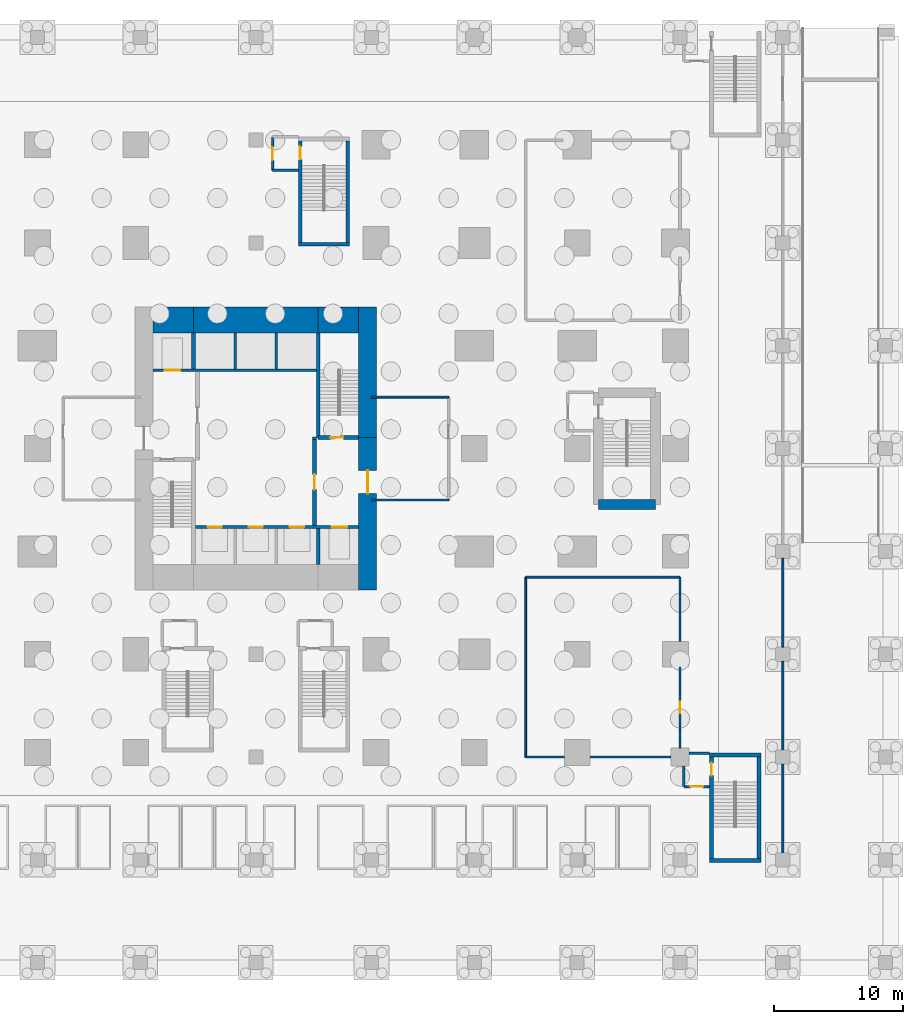
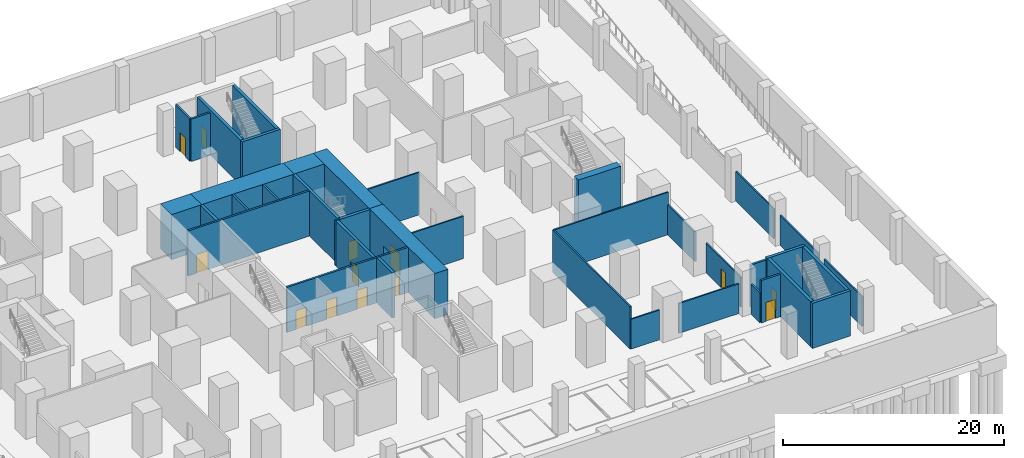
# One storey, part 8 of 17: 39 walls, 13 doors, 13 openings.
"""IFC4 building model written with IfcOpenShell, lengths in metres."""

from ifc_helpers import new_model, si_unit, direction, frame, frame_2d, origin, place, context, subcontext, project, spatial, rectangle, extrude, material, layer, layer_set, type_object, element, fill, save


model = new_model("IFC4")

# Units and contexts
model_context = context("Model", 3, precision=1e-05, world=origin(), true_north=direction((0.0, 1.0)))
body_context = subcontext(model_context, "Body", "Model", "MODEL_VIEW")
ifc_project = project(units=[si_unit("LENGTHUNIT", "METRE"), si_unit("AREAUNIT", "SQUARE_METRE"), si_unit("VOLUMEUNIT", "CUBIC_METRE"), si_unit("PLANEANGLEUNIT", "RADIAN"), si_unit("MASSUNIT", "GRAM", prefix="KILO")], contexts=[model_context])

# Site, building, storey
site_placement = place(None, origin())
site = spatial("IfcSite", under=ifc_project, at=site_placement, CompositionType="ELEMENT")
building_placement = place(site_placement, origin())
building = spatial("IfcBuilding", under=site, at=building_placement, Name="Cleftline Residences", CompositionType="ELEMENT")
storey_placement = place(building_placement, frame((0.0, 0.0, -5.0)))
storey = spatial("IfcBuildingStorey", under=building, at=storey_placement, Name="L-01", CompositionType="ELEMENT", Elevation=-5.0)

# Wall, opening, door
ifc_material_1 = material(Name="Concrete B70", Category="concrete")
ifc_layer_1 = layer(ifc_material_1, 1.39990234375)
ifc_layer_set_1 = layer_set([ifc_layer_1], Name="CORE WALL 1400")
wall_type_1 = type_object("IfcWallType", Name="CORE WALL 1400", PredefinedType="SHEAR", material=ifc_layer_set_1)
wall_1_placement = place(storey_placement, frame((41.699951171875, 13.0, 0.0), z_axis=(0.0, 0.0, 1.0), x_axis=(0.0, 1.0, 0.0)))
wall_1 = element("IfcWall", 1, at=wall_1_placement, inside=storey, type_object=wall_type_1, Name="Core wall E", PredefinedType="SHEAR", context=body_context, shape_type="SweptSolid", body=[
    extrude(rectangle(XDim=11.85009765625, YDim=1.39990234375, at=frame_2d((5.925048828125, 0.0))), origin(), (0.0, 0.0, 1.0), 5.0),
])
opening_1_placement = place(wall_1_placement, frame((7.5, 0.0, 0.0)))
opening_1 = element("IfcOpeningElement", 2, at=opening_1_placement, cuts=wall_1, Name="Opening D7", PredefinedType="OPENING", context=body_context, shape_type="SweptSolid", body=[
    extrude(rectangle(XDim=1.800048828125, YDim=2.39990234375, at=frame_2d((0.89990234375, 1.199951171875))), frame((0.0, 0.7099609375, 0.0), z_axis=(0.0, -1.0, 0.0), x_axis=(1.0, 0.0, 0.0)), (0.0, 0.0, 1.0), 1.419921875),
])
ifc_material_2 = material(Name="Steel", Category="steel")
door_type_1 = type_object("IfcDoorType", Name="WING DOOR 1800X2400", OperationType="DOUBLE_DOOR_DOUBLE_SWING", PredefinedType="DOOR", material=ifc_material_2)
door_1_placement = place(opening_1_placement, origin())
door_1 = element("IfcDoor", 3, at=door_1_placement, inside=storey, type_object=door_type_1, Name="East wing door", OperationType="DOUBLE_DOOR_DOUBLE_SWING", OverallHeight=2.39990234375, OverallWidth=1.800048828125, PredefinedType="DOOR", context=body_context, shape_type="SweptSolid", body=[
    extrude(rectangle(XDim=1.800048828125, YDim=2.39990234375, at=frame_2d((0.89990234375, 1.199951171875))), frame((0.0, 0.02490234375, 0.0), z_axis=(0.0, -1.0, 0.0), x_axis=(1.0, 0.0, 0.0)), (0.0, 0.0, 1.0), 0.050048828125),
])
fill(opening_1, door_1)

# Walls
wall_2_placement = place(storey_placement, frame((41.699951171875, 24.85009765625, 0.0), z_axis=(0.0, 0.0, 1.0), x_axis=(0.0, 1.0, 0.0)))
element("IfcWall", 4, at=wall_2_placement, inside=storey, type_object=wall_type_1, Name="Core wall E1", PredefinedType="SHEAR", context=body_context, shape_type="SweptSolid", body=[
    extrude(rectangle(XDim=10.14990234375, YDim=1.39990234375, at=frame_2d((5.074951171875, 0.0))), origin(), (0.0, 0.0, 1.0), 5.0),
])
ifc_material_3 = material(Name="Concrete B70", Category="concrete")
ifc_layer_2 = layer(ifc_material_3, 2.0)
ifc_layer_set_2 = layer_set([ifc_layer_2], Name="CORE WALL 2000")
wall_type_2 = type_object("IfcWallType", Name="CORE WALL 2000", PredefinedType="SHEAR", material=ifc_layer_set_2)
wall_3_placement = place(storey_placement, frame((25.0, 34.0, 0.0), z_axis=(0.0, 0.0, 1.0), x_axis=(1.0, 0.0, 0.0)))
element("IfcWall", 5, at=wall_3_placement, inside=storey, type_object=wall_type_2, Name="Core wall N1", PredefinedType="SHEAR", context=body_context, shape_type="SweptSolid", body=[
    extrude(rectangle(XDim=3.14990234375, YDim=2.0, at=frame_2d((1.574951171875, 0.0))), origin(), (0.0, 0.0, 1.0), 5.0),
])
wall_4_placement = place(storey_placement, frame((28.14990234375, 34.0, 0.0), z_axis=(0.0, 0.0, 1.0), x_axis=(1.0, 0.0, 0.0)))
element("IfcWall", 6, at=wall_4_placement, inside=storey, type_object=wall_type_2, Name="Core wall N2", PredefinedType="SHEAR", context=body_context, shape_type="SweptSolid", body=[
    extrude(rectangle(XDim=9.7001953125, YDim=2.0, at=frame_2d((4.85009765625, 0.0))), origin(), (0.0, 0.0, 1.0), 5.0),
])
wall_5_placement = place(storey_placement, frame((37.85009765625, 34.0, 0.0), z_axis=(0.0, 0.0, 1.0), x_axis=(1.0, 0.0, 0.0)))
element("IfcWall", 7, at=wall_5_placement, inside=storey, type_object=wall_type_2, Name="Core wall N3", PredefinedType="SHEAR", context=body_context, shape_type="SweptSolid", body=[
    extrude(rectangle(XDim=3.14990234375, YDim=2.0, at=frame_2d((1.574951171875, 0.0))), origin(), (0.0, 0.0, 1.0), 5.0),
])
ifc_material_4 = material(Name="Concrete B70", Category="concrete")
ifc_layer_3 = layer(ifc_material_4, 0.300048828125)
ifc_layer_set_3 = layer_set([ifc_layer_3], Name="CORE WALL 300")
wall_type_3 = type_object("IfcWallType", Name="CORE WALL 300", PredefinedType="SHEAR", material=ifc_layer_set_3)
wall_6_placement = place(storey_placement, frame((37.85009765625, 24.85009765625, 0.0), z_axis=(0.0, 0.0, 1.0), x_axis=(0.0, 1.0, 0.0)))
element("IfcWall", 8, at=wall_6_placement, inside=storey, type_object=wall_type_3, Name="Core wall SB-W", PredefinedType="SHEAR", context=body_context, shape_type="SweptSolid", body=[
    extrude(rectangle(XDim=8.14990234375, YDim=0.300048828125, at=frame_2d((4.074951171875, 0.0))), origin(), (0.0, 0.0, 1.0), 5.0),
])

# Wall, opening, door
wall_7_placement = place(storey_placement, frame((37.85009765625, 24.85009765625, 0.0), z_axis=(0.0, 0.0, 1.0), x_axis=(1.0, 0.0, 0.0)))
wall_7 = element("IfcWall", 9, at=wall_7_placement, inside=storey, type_object=wall_type_3, Name="Core wall SB-S", PredefinedType="SHEAR", context=body_context, shape_type="SweptSolid", body=[
    extrude(rectangle(XDim=3.14990234375, YDim=0.300048828125, at=frame_2d((1.574951171875, 0.0))), origin(), (0.0, 0.0, 1.0), 5.0),
])
opening_2_placement = place(wall_7_placement, frame((0.949951171875, 0.0, 0.0)))
opening_2 = element("IfcOpeningElement", 10, at=opening_2_placement, cuts=wall_7, Name="Opening D5", PredefinedType="OPENING", context=body_context, shape_type="SweptSolid", body=[
    extrude(rectangle(XDim=1.0, YDim=2.10009765625, at=frame_2d((0.5, 1.050048828125))), frame((0.0, 0.159912109375, 0.0), z_axis=(0.0, -1.0, 0.0), x_axis=(1.0, 0.0, 0.0)), (0.0, 0.0, 1.0), 0.320068359375),
])
ifc_material_5 = material(Name="Steel", Category="steel")
door_type_2 = type_object("IfcDoorType", Name="STAIR DOOR 1000X2100", OperationType="SINGLE_SWING_LEFT", PredefinedType="DOOR", material=ifc_material_5)
door_2_placement = place(opening_2_placement, origin())
door_2 = element("IfcDoor", 11, at=door_2_placement, inside=storey, type_object=door_type_2, Name="Stair B door", OperationType="SINGLE_SWING_RIGHT", OverallHeight=2.10009765625, OverallWidth=1.0, PredefinedType="DOOR", context=body_context, shape_type="SweptSolid", body=[
    extrude(rectangle(XDim=1.0, YDim=2.10009765625, at=frame_2d((0.5, 1.050048828125))), frame((0.0, 0.02490234375, 0.0), z_axis=(0.0, -1.0, 0.0), x_axis=(1.0, 0.0, 0.0)), (0.0, 0.0, 1.0), 0.050048828125),
])
fill(opening_2, door_2)

# Walls
for number, where, z_axis, x_axis, name in (
    (12, (37.85009765625, 15.0, 0.0), (0.0, 0.0, 1.0), (0.0, 1.0, 0.0), "Lift shaft wall"),
    (13, (28.14990234375, 30.199951171875, 0.0), (0.0, 0.0, 1.0), (0.0, 1.0, 0.0), "Lift shaft wall"),
):
    element("IfcWall", number, at=place(storey_placement, frame(where, z_axis=z_axis, x_axis=x_axis)), inside=storey, type_object=wall_type_3, Name=name, PredefinedType="SHEAR", context=body_context, shape_type="SweptSolid", body=[
        extrude(rectangle(XDim=2.800048828125, YDim=0.300048828125, at=frame_2d((1.39990234375, 0.0))), origin(), (0.0, 0.0, 1.0), 5.0),
    ])

# Wall, opening, door
ifc_material_6 = material(Name="Concrete blockwork, fire rated", Category="masonry")
ifc_layer_4 = layer(ifc_material_6, 0.199951171875)
ifc_layer_set_4 = layer_set([ifc_layer_4], Name="FIRE WALL 200")
wall_type_4 = type_object("IfcWallType", Name="FIRE WALL 200", PredefinedType="PARTITIONING", material=ifc_layer_set_4)
wall_8_placement = place(storey_placement, frame((66.300048828125, -2.300048828125, 0.0), z_axis=(0.0, 0.0, 1.0), x_axis=(1.0, 0.0, 0.0)))
wall_8 = element("IfcWall", 14, at=wall_8_placement, inside=storey, type_object=wall_type_4, Name="Fire separating wall", PredefinedType="PARTITIONING", context=body_context, shape_type="SweptSolid", body=[
    extrude(rectangle(XDim=2.0, YDim=0.199951171875, at=frame_2d((1.0, 0.0))), origin(), (0.0, 0.0, 1.0), 4.699951171875),
])
opening_3_placement = place(wall_8_placement, frame((0.5, 0.0, 0.0)))
opening_3 = element("IfcOpeningElement", 15, at=opening_3_placement, cuts=wall_8, Name="Opening D2F60", PredefinedType="OPENING", context=body_context, shape_type="SweptSolid", body=[
    extrude(rectangle(XDim=1.0, YDim=2.10009765625, at=frame_2d((0.5, 1.050048828125))), frame((0.0, 0.10986328125, 0.0), z_axis=(0.0, -1.0, 0.0), x_axis=(1.0, 0.0, 0.0)), (0.0, 0.0, 1.0), 0.219970703125),
])
ifc_material_7 = material(Name="Timber veneer on solid core", Category="wood")
door_type_3 = type_object("IfcDoorType", Name="DOOR 1000X2100 EI 60", OperationType="SINGLE_SWING_LEFT", PredefinedType="DOOR", material=ifc_material_7)
door_3_placement = place(opening_3_placement, origin())
door_3 = element("IfcDoor", 16, at=door_3_placement, inside=storey, type_object=door_type_3, Name="Door to stair ps-s lobby", OperationType="SINGLE_SWING_LEFT", OverallHeight=2.10009765625, OverallWidth=1.0, PredefinedType="DOOR", context=body_context, shape_type="SweptSolid", body=[
    extrude(rectangle(XDim=1.0, YDim=2.10009765625, at=frame_2d((0.5, 1.050048828125))), frame((0.0, 0.02490234375, 0.0), z_axis=(0.0, -1.0, 0.0), x_axis=(1.0, 0.0, 0.0)), (0.0, 0.0, 1.0), 0.050048828125),
])
fill(opening_3, door_3)

# Walls
wall_9_placement = place(storey_placement, frame((66.699951171875, 0.300048828125, 0.0), z_axis=(0.0, 0.0, 1.0), x_axis=(1.0, 0.0, 0.0)))
element("IfcWall", 17, at=wall_9_placement, inside=storey, type_object=wall_type_4, Name="Fire separating wall", PredefinedType="PARTITIONING", context=body_context, shape_type="SweptSolid", body=[
    extrude(rectangle(XDim=1.60009765625, YDim=0.199951171875, at=frame_2d((0.800048828125, 0.0))), origin(), (0.0, 0.0, 1.0), 4.699951171875),
])
wall_10_placement = place(storey_placement, frame((34.300048828125, 45.64990234375, 0.0), z_axis=(0.0, 0.0, 1.0), x_axis=(1.0, 0.0, 0.0)))
element("IfcWall", 18, at=wall_10_placement, inside=storey, type_object=wall_type_4, Name="Fire separating wall", PredefinedType="PARTITIONING", context=body_context, shape_type="SweptSolid", body=[
    extrude(rectangle(XDim=2.0, YDim=0.199951171875, at=frame_2d((1.0, 0.0))), origin(), (0.0, 0.0, 1.0), 4.699951171875),
])

# Wall, opening, door
wall_11_placement = place(storey_placement, frame((34.300048828125, 45.64990234375, 0.0), z_axis=(0.0, 0.0, 1.0), x_axis=(0.0, 1.0, 0.0)))
wall_11 = element("IfcWall", 19, at=wall_11_placement, inside=storey, type_object=wall_type_4, Name="Fire separating wall", PredefinedType="PARTITIONING", context=body_context, shape_type="SweptSolid", body=[
    extrude(rectangle(XDim=2.60009765625, YDim=0.199951171875, at=frame_2d((1.300048828125, 0.0))), origin(), (0.0, 0.0, 1.0), 4.699951171875),
])
opening_4_placement = place(wall_11_placement, frame((0.800048828125, 0.0, 0.0)))
opening_4 = element("IfcOpeningElement", 20, at=opening_4_placement, cuts=wall_11, Name="Opening D2F60", PredefinedType="OPENING", context=body_context, shape_type="SweptSolid", body=[
    extrude(rectangle(XDim=1.0, YDim=2.10009765625, at=frame_2d((0.5, 1.050048828125))), frame((0.0, 0.10986328125, 0.0), z_axis=(0.0, -1.0, 0.0), x_axis=(1.0, 0.0, 0.0)), (0.0, 0.0, 1.0), 0.219970703125),
])
door_4_placement = place(opening_4_placement, origin())
door_4 = element("IfcDoor", 21, at=door_4_placement, inside=storey, type_object=door_type_3, Name="Door to stair d lobby", OperationType="SINGLE_SWING_LEFT", OverallHeight=2.10009765625, OverallWidth=1.0, PredefinedType="DOOR", context=body_context, shape_type="SweptSolid", body=[
    extrude(rectangle(XDim=1.0, YDim=2.10009765625, at=frame_2d((0.5, 1.050048828125))), frame((0.0, 0.02490234375, 0.0), z_axis=(0.0, -1.0, 0.0), x_axis=(1.0, 0.0, 0.0)), (0.0, 0.0, 1.0), 0.050048828125),
])
fill(opening_4, door_4)

# Walls
wall_12_placement = place(storey_placement, frame((66.300048828125, -2.300048828125, 0.0), z_axis=(0.0, 0.0, 1.0), x_axis=(0.0, 1.0, 0.0)))
element("IfcWall", 22, at=wall_12_placement, inside=storey, type_object=wall_type_4, Name="Fire separating wall", PredefinedType="PARTITIONING", context=body_context, shape_type="SweptSolid", body=[
    extrude(rectangle(XDim=1.60009765625, YDim=0.199951171875, at=frame_2d((0.800048828125, 0.0))), origin(), (0.0, 0.0, 1.0), 3.300048828125),
])
wall_13_placement = place(storey_placement, frame((37.39990234375, 24.800048828125, 0.0), z_axis=(0.0, 0.0, 1.0), x_axis=(1.0, 0.0, 0.0)))
element("IfcWall", 23, at=wall_13_placement, inside=storey, type_object=wall_type_4, Name="Fire separating wall", PredefinedType="PARTITIONING", context=body_context, shape_type="SweptSolid", body=[
    extrude(rectangle(XDim=0.300048828125, YDim=0.199951171875, at=frame_2d((0.14990234375, 0.0))), origin(), (0.0, 0.0, 1.0), 5.0),
])
ifc_material_8 = material(Name="Gypsum board on steel studs", Category="steel")
ifc_layer_5 = layer(ifc_material_8, 0.14990234375)
ifc_layer_set_5 = layer_set([ifc_layer_5], Name="PARTITION 150")
wall_type_5 = type_object("IfcWallType", Name="PARTITION 150", PredefinedType="PARTITIONING", material=ifc_layer_set_5)
wall_14_placement = place(storey_placement, frame((54.0, 0.0, 0.0), z_axis=(0.0, 0.0, 1.0), x_axis=(1.0, 0.0, 0.0)))
element("IfcWall", 24, at=wall_14_placement, inside=storey, type_object=wall_type_5, Name="Partition", PredefinedType="PARTITIONING", context=body_context, shape_type="SweptSolid", body=[
    extrude(rectangle(XDim=3.0, YDim=0.14990234375, at=frame_2d((1.5, 0.0))), origin(), (0.0, 0.0, 1.0), 3.300048828125),
])
wall_15_placement = place(storey_placement, frame((59.0, 0.0, 0.0), z_axis=(0.0, 0.0, 1.0), x_axis=(1.0, 0.0, 0.0)))
element("IfcWall", 25, at=wall_15_placement, inside=storey, type_object=wall_type_5, Name="Partition", PredefinedType="PARTITIONING", context=body_context, shape_type="SweptSolid", body=[
    extrude(rectangle(XDim=6.300048828125, YDim=0.14990234375, at=frame_2d((3.14990234375, 0.0))), origin(), (0.0, 0.0, 1.0), 3.300048828125),
])
wall_16_placement = place(storey_placement, frame((54.0, 14.0, 0.0), z_axis=(0.0, 0.0, 1.0), x_axis=(1.0, 0.0, 0.0)))
element("IfcWall", 26, at=wall_16_placement, inside=storey, type_object=wall_type_5, Name="Partition", PredefinedType="PARTITIONING", context=body_context, shape_type="SweptSolid", body=[
    extrude(rectangle(XDim=12.0, YDim=0.14990234375, at=frame_2d((6.0, 0.0))), origin(), (0.0, 0.0, 1.0), 4.699951171875),
])
for number, where, z_axis, x_axis, name in (
    (27, (42.0, 20.0, 0.0), (0.0, 0.0, 1.0), (1.0, 0.0, 0.0), "Partition"),
    (28, (42.0, 28.0, 0.0), (0.0, 0.0, 1.0), (1.0, 0.0, 0.0), "Partition"),
):
    element("IfcWall", number, at=place(storey_placement, frame(where, z_axis=z_axis, x_axis=x_axis)), inside=storey, type_object=wall_type_5, Name=name, PredefinedType="PARTITIONING", context=body_context, shape_type="SweptSolid", body=[
        extrude(rectangle(XDim=6.0, YDim=0.14990234375, at=frame_2d((3.0, 0.0))), origin(), (0.0, 0.0, 1.0), 4.699951171875),
    ])
wall_17_placement = place(storey_placement, frame((54.0, 0.0, 0.0), z_axis=(0.0, 0.0, 1.0), x_axis=(0.0, 1.0, 0.0)))
element("IfcWall", 29, at=wall_17_placement, inside=storey, type_object=wall_type_5, Name="Partition", PredefinedType="PARTITIONING", context=body_context, shape_type="SweptSolid", body=[
    extrude(rectangle(XDim=14.0, YDim=0.14990234375, at=frame_2d((7.0, 0.0))), origin(), (0.0, 0.0, 1.0), 4.699951171875),
])

# Wall, opening, door
wall_18_placement = place(storey_placement, frame((66.0, 0.699951171875, 0.0), z_axis=(0.0, 0.0, 1.0), x_axis=(0.0, 1.0, 0.0)))
wall_18 = element("IfcWall", 30, at=wall_18_placement, inside=storey, type_object=wall_type_5, Name="Partition", PredefinedType="PARTITIONING", context=body_context, shape_type="SweptSolid", body=[
    extrude(rectangle(XDim=6.300048828125, YDim=0.14990234375, at=frame_2d((3.14990234375, 0.0))), origin(), (0.0, 0.0, 1.0), 3.300048828125),
])
opening_5_placement = place(wall_18_placement, frame((2.699951171875, 0.0, 0.0)))
opening_5 = element("IfcOpeningElement", 31, at=opening_5_placement, cuts=wall_18, Name="Opening D1F60", PredefinedType="OPENING", context=body_context, shape_type="SweptSolid", body=[
    extrude(rectangle(XDim=0.89990234375, YDim=2.10009765625, at=frame_2d((0.449951171875, 1.050048828125))), frame((0.0, 0.0849609375, 0.0), z_axis=(0.0, -1.0, 0.0), x_axis=(1.0, 0.0, 0.0)), (0.0, 0.0, 1.0), 0.169921875),
])
ifc_material_9 = material(Name="Timber veneer on solid core", Category="wood")
door_type_4 = type_object("IfcDoorType", Name="DOOR 900X2100 EI 60", OperationType="SINGLE_SWING_LEFT", PredefinedType="DOOR", material=ifc_material_9)
door_5_placement = place(opening_5_placement, origin())
door_5 = element("IfcDoor", 32, at=door_5_placement, inside=storey, type_object=door_type_4, Name="Door to refuse room", OperationType="SINGLE_SWING_LEFT", OverallHeight=2.10009765625, OverallWidth=0.89990234375, PredefinedType="DOOR", context=body_context, shape_type="SweptSolid", body=[
    extrude(rectangle(XDim=0.89990234375, YDim=2.10009765625, at=frame_2d((0.449951171875, 1.050048828125))), frame((0.0, 0.02490234375, 0.0), z_axis=(0.0, -1.0, 0.0), x_axis=(1.0, 0.0, 0.0)), (0.0, 0.0, 1.0), 0.050048828125),
])
fill(opening_5, door_5)

# Walls
wall_19_placement = place(storey_placement, frame((66.0, 9.0, 0.0), z_axis=(0.0, 0.0, 1.0), x_axis=(0.0, 1.0, 0.0)))
element("IfcWall", 33, at=wall_19_placement, inside=storey, type_object=wall_type_5, Name="Partition", PredefinedType="PARTITIONING", context=body_context, shape_type="SweptSolid", body=[
    extrude(rectangle(XDim=5.0, YDim=0.14990234375, at=frame_2d((2.5, 0.0))), origin(), (0.0, 0.0, 1.0), 3.300048828125),
])
for number, where, z_axis, x_axis, name in (
    (34, (74.0, -7.449951171875, 0.0), (0.0, 0.0, 1.0), (0.0, 1.0, 0.0), "Partition"),
    (35, (74.0, 0.550048828125, 0.0), (0.0, 0.0, 1.0), (0.0, 1.0, 0.0), "Partition"),
    (36, (74.0, 8.550048828125, 0.0), (0.0, 0.0, 1.0), (0.0, 1.0, 0.0), "Partition"),
):
    element("IfcWall", number, at=place(storey_placement, frame(where, z_axis=z_axis, x_axis=x_axis)), inside=storey, type_object=wall_type_5, Name=name, PredefinedType="PARTITIONING", context=body_context, shape_type="SweptSolid", body=[
        extrude(rectangle(XDim=6.89990234375, YDim=0.14990234375, at=frame_2d((3.449951171875, 0.0))), origin(), (0.0, 0.0, 1.0), 3.300048828125),
    ])

# Wall, openings, doors
ifc_material_10 = material(Name="Concrete blockwork, fire rated", Category="masonry")
ifc_layer_6 = layer(ifc_material_10, 0.199951171875)
ifc_layer_set_6 = layer_set([ifc_layer_6], Name="SHAFT WALL 200")
wall_type_6 = type_object("IfcWallType", Name="SHAFT WALL 200", PredefinedType="PARTITIONING", material=ifc_layer_set_6)
wall_20_placement = place(storey_placement, frame((28.300048828125, 17.89990234375, 0.0), z_axis=(0.0, 0.0, 1.0), x_axis=(1.0, 0.0, 0.0)))
wall_20 = element("IfcWall", 37, at=wall_20_placement, inside=storey, type_object=wall_type_6, Name="Lift shaft wall", PredefinedType="PARTITIONING", context=body_context, shape_type="SweptSolid", body=[
    extrude(rectangle(XDim=12.699951171875, YDim=0.199951171875, at=frame_2d((6.35009765625, 0.0))), origin(), (0.0, 0.0, 1.0), 5.0),
])
opening_6_placement = place(wall_20_placement, frame((0.949951171875, 0.0, 0.0)))
opening_6 = element("IfcOpeningElement", 38, at=opening_6_placement, cuts=wall_20, Name="Opening LD1", PredefinedType="OPENING", context=body_context, shape_type="SweptSolid", body=[
    extrude(rectangle(XDim=1.10009765625, YDim=2.10009765625, at=frame_2d((0.550048828125, 1.050048828125))), frame((0.0, 0.10986328125, 0.0), z_axis=(0.0, -1.0, 0.0), x_axis=(1.0, 0.0, 0.0)), (0.0, 0.0, 1.0), 0.219970703125),
])
opening_7_placement = place(wall_20_placement, frame((4.14990234375, 0.0, 0.0)))
opening_7 = element("IfcOpeningElement", 39, at=opening_7_placement, cuts=wall_20, Name="Opening LD1", PredefinedType="OPENING", context=body_context, shape_type="SweptSolid", body=[
    extrude(rectangle(XDim=1.10009765625, YDim=2.10009765625, at=frame_2d((0.550048828125, 1.050048828125))), frame((0.0, 0.10986328125, 0.0), z_axis=(0.0, -1.0, 0.0), x_axis=(1.0, 0.0, 0.0)), (0.0, 0.0, 1.0), 0.219970703125),
])
opening_8_placement = place(wall_20_placement, frame((7.35009765625, 0.0, 0.0)))
opening_8 = element("IfcOpeningElement", 40, at=opening_8_placement, cuts=wall_20, Name="Opening LD1", PredefinedType="OPENING", context=body_context, shape_type="SweptSolid", body=[
    extrude(rectangle(XDim=1.10009765625, YDim=2.10009765625, at=frame_2d((0.550048828125, 1.050048828125))), frame((0.0, 0.10986328125, 0.0), z_axis=(0.0, -1.0, 0.0), x_axis=(1.0, 0.0, 0.0)), (0.0, 0.0, 1.0), 0.219970703125),
])
opening_9_placement = place(wall_20_placement, frame((10.60009765625, 0.0, 0.0)))
opening_9 = element("IfcOpeningElement", 41, at=opening_9_placement, cuts=wall_20, Name="Opening LD2", PredefinedType="OPENING", context=body_context, shape_type="SweptSolid", body=[
    extrude(rectangle(XDim=1.199951171875, YDim=2.10009765625, at=frame_2d((0.60009765625, 1.050048828125))), frame((0.0, 0.10986328125, 0.0), z_axis=(0.0, -1.0, 0.0), x_axis=(1.0, 0.0, 0.0)), (0.0, 0.0, 1.0), 0.219970703125),
])
ifc_material_11 = material(Name="Steel", Category="steel")
door_type_5 = type_object("IfcDoorType", Name="FIREFIGHTING LIFT LANDING DOOR 1200X2100", OperationType="SLIDING_TO_LEFT", PredefinedType="DOOR", material=ifc_material_11)
door_6_placement = place(opening_9_placement, origin())
door_6 = element("IfcDoor", 42, at=door_6_placement, inside=storey, type_object=door_type_5, Name="Lift FL2 landing door", OperationType="SLIDING_TO_LEFT", OverallHeight=2.10009765625, OverallWidth=1.199951171875, PredefinedType="DOOR", context=body_context, shape_type="SweptSolid", body=[
    extrude(rectangle(XDim=1.199951171875, YDim=2.10009765625, at=frame_2d((0.60009765625, 1.050048828125))), frame((0.0, 0.02490234375, 0.0), z_axis=(0.0, -1.0, 0.0), x_axis=(1.0, 0.0, 0.0)), (0.0, 0.0, 1.0), 0.050048828125),
])
fill(opening_9, door_6)
ifc_material_12 = material(Name="Steel", Category="steel")
door_type_6 = type_object("IfcDoorType", Name="LIFT LANDING DOOR 1100X2100", OperationType="SLIDING_TO_LEFT", PredefinedType="DOOR", material=ifc_material_12)
door_7_placement = place(opening_6_placement, origin())
door_7 = element("IfcDoor", 43, at=door_7_placement, inside=storey, type_object=door_type_6, Name="Lift P1 landing door", OperationType="SLIDING_TO_LEFT", OverallHeight=2.10009765625, OverallWidth=1.10009765625, PredefinedType="DOOR", context=body_context, shape_type="SweptSolid", body=[
    extrude(rectangle(XDim=1.10009765625, YDim=2.10009765625, at=frame_2d((0.550048828125, 1.050048828125))), frame((0.0, 0.02490234375, 0.0), z_axis=(0.0, -1.0, 0.0), x_axis=(1.0, 0.0, 0.0)), (0.0, 0.0, 1.0), 0.050048828125),
])
fill(opening_6, door_7)
door_8_placement = place(opening_7_placement, origin())
door_8 = element("IfcDoor", 44, at=door_8_placement, inside=storey, type_object=door_type_6, Name="Lift P2 landing door", OperationType="SLIDING_TO_LEFT", OverallHeight=2.10009765625, OverallWidth=1.10009765625, PredefinedType="DOOR", context=body_context, shape_type="SweptSolid", body=[
    extrude(rectangle(XDim=1.10009765625, YDim=2.10009765625, at=frame_2d((0.550048828125, 1.050048828125))), frame((0.0, 0.02490234375, 0.0), z_axis=(0.0, -1.0, 0.0), x_axis=(1.0, 0.0, 0.0)), (0.0, 0.0, 1.0), 0.050048828125),
])
fill(opening_7, door_8)
door_9_placement = place(opening_8_placement, origin())
door_9 = element("IfcDoor", 45, at=door_9_placement, inside=storey, type_object=door_type_6, Name="Lift P3 landing door", OperationType="SLIDING_TO_LEFT", OverallHeight=2.10009765625, OverallWidth=1.10009765625, PredefinedType="DOOR", context=body_context, shape_type="SweptSolid", body=[
    extrude(rectangle(XDim=1.10009765625, YDim=2.10009765625, at=frame_2d((0.550048828125, 1.050048828125))), frame((0.0, 0.02490234375, 0.0), z_axis=(0.0, -1.0, 0.0), x_axis=(1.0, 0.0, 0.0)), (0.0, 0.0, 1.0), 0.050048828125),
])
fill(opening_8, door_9)

# Wall, opening, door
wall_21_placement = place(storey_placement, frame((25.0, 30.10009765625, 0.0), z_axis=(0.0, 0.0, 1.0), x_axis=(1.0, 0.0, 0.0)))
wall_21 = element("IfcWall", 46, at=wall_21_placement, inside=storey, type_object=wall_type_6, Name="Lift shaft wall", PredefinedType="PARTITIONING", context=body_context, shape_type="SweptSolid", body=[
    extrude(rectangle(XDim=12.699951171875, YDim=0.199951171875, at=frame_2d((6.35009765625, 0.0))), origin(), (0.0, 0.0, 1.0), 5.0),
])
opening_10_placement = place(wall_21_placement, frame((0.89990234375, 0.0, 0.0)))
opening_10 = element("IfcOpeningElement", 47, at=opening_10_placement, cuts=wall_21, Name="Opening LD2", PredefinedType="OPENING", context=body_context, shape_type="SweptSolid", body=[
    extrude(rectangle(XDim=1.199951171875, YDim=2.10009765625, at=frame_2d((0.60009765625, 1.050048828125))), frame((0.0, 0.10986328125, 0.0), z_axis=(0.0, -1.0, 0.0), x_axis=(1.0, 0.0, 0.0)), (0.0, 0.0, 1.0), 0.219970703125),
])
door_10_placement = place(opening_10_placement, origin())
door_10 = element("IfcDoor", 48, at=door_10_placement, inside=storey, type_object=door_type_5, Name="Lift FL1 landing door", OperationType="SLIDING_TO_LEFT", OverallHeight=2.10009765625, OverallWidth=1.199951171875, PredefinedType="DOOR", context=body_context, shape_type="SweptSolid", body=[
    extrude(rectangle(XDim=1.199951171875, YDim=2.10009765625, at=frame_2d((0.60009765625, 1.050048828125))), frame((0.0, 0.02490234375, 0.0), z_axis=(0.0, -1.0, 0.0), x_axis=(1.0, 0.0, 0.0)), (0.0, 0.0, 1.0), 0.050048828125),
])
fill(opening_10, door_10)

# Walls
for number, where, z_axis, x_axis, name in (
    (49, (31.39990234375, 30.199951171875, 0.0), (0.0, 0.0, 1.0), (0.0, 1.0, 0.0), "Lift shaft wall"),
    (50, (34.60009765625, 30.199951171875, 0.0), (0.0, 0.0, 1.0), (0.0, 1.0, 0.0), "Lift shaft wall"),
):
    element("IfcWall", number, at=place(storey_placement, frame(where, z_axis=z_axis, x_axis=x_axis)), inside=storey, type_object=wall_type_6, Name=name, PredefinedType="PARTITIONING", context=body_context, shape_type="SweptSolid", body=[
        extrude(rectangle(XDim=2.800048828125, YDim=0.199951171875, at=frame_2d((1.39990234375, 0.0))), origin(), (0.0, 0.0, 1.0), 5.0),
    ])
ifc_material_13 = material(Name="Concrete B70", Category="concrete")
ifc_layer_7 = layer(ifc_material_13, 0.75)
ifc_layer_set_7 = layer_set([ifc_layer_7], Name="SHEAR WALL 750")
wall_type_7 = type_object("IfcWallType", Name="SHEAR WALL 750", PredefinedType="SHEAR", material=ifc_layer_set_7)
wall_22_placement = place(storey_placement, frame((59.64990234375, 19.64990234375, 0.0), z_axis=(0.0, 0.0, 1.0), x_axis=(1.0, 0.0, 0.0)))
element("IfcWall", 51, at=wall_22_placement, inside=storey, type_object=wall_type_7, Name="Wing shear wall", PredefinedType="SHEAR", context=body_context, shape_type="SweptSolid", body=[
    extrude(rectangle(XDim=4.4501953125, YDim=0.75, at=frame_2d((2.22509765625, 0.0))), origin(), (0.0, 0.0, 1.0), 5.0),
])
ifc_material_14 = material(Name="Concrete blockwork, fire rated", Category="masonry")
ifc_layer_8 = layer(ifc_material_14, 0.300048828125)
ifc_layer_set_8 = layer_set([ifc_layer_8], Name="STAIR ENCLOSURE WALL 300")
wall_type_8 = type_object("IfcWallType", Name="STAIR ENCLOSURE WALL 300", PredefinedType="PARTITIONING", material=ifc_layer_set_8)
wall_23_placement = place(storey_placement, frame((36.300048828125, 39.89990234375, 0.0), z_axis=(0.0, 0.0, 1.0), x_axis=(1.0, 0.0, 0.0)))
element("IfcWall", 52, at=wall_23_placement, inside=storey, type_object=wall_type_8, Name="Stair D enclosure", PredefinedType="PARTITIONING", context=body_context, shape_type="SweptSolid", body=[
    extrude(rectangle(XDim=4.0, YDim=0.300048828125, at=frame_2d((2.0, 0.0))), origin(), (0.0, 0.0, 1.0), 5.0),
])

# Wall, opening, door
wall_24_placement = place(storey_placement, frame((36.449951171875, 40.050048828125, 0.0), z_axis=(0.0, 0.0, 1.0), x_axis=(0.0, 1.0, 0.0)))
wall_24 = element("IfcWall", 53, at=wall_24_placement, inside=storey, type_object=wall_type_8, Name="Stair D enclosure", PredefinedType="PARTITIONING", context=body_context, shape_type="SweptSolid", body=[
    extrude(rectangle(XDim=7.89990234375, YDim=0.300048828125, at=frame_2d((3.949951171875, 0.0))), origin(), (0.0, 0.0, 1.0), 5.0),
])
opening_11_placement = place(wall_24_placement, frame((6.449951171875, 0.0, 0.0)))
opening_11 = element("IfcOpeningElement", 54, at=opening_11_placement, cuts=wall_24, Name="Opening D5", PredefinedType="OPENING", context=body_context, shape_type="SweptSolid", body=[
    extrude(rectangle(XDim=1.0, YDim=2.10009765625, at=frame_2d((0.5, 1.050048828125))), frame((0.0, 0.159912109375, 0.0), z_axis=(0.0, -1.0, 0.0), x_axis=(1.0, 0.0, 0.0)), (0.0, 0.0, 1.0), 0.320068359375),
])
door_11_placement = place(opening_11_placement, origin())
door_11 = element("IfcDoor", 55, at=door_11_placement, inside=storey, type_object=door_type_2, Name="Stair D door", OperationType="SINGLE_SWING_LEFT", OverallHeight=2.10009765625, OverallWidth=1.0, PredefinedType="DOOR", context=body_context, shape_type="SweptSolid", body=[
    extrude(rectangle(XDim=1.0, YDim=2.10009765625, at=frame_2d((0.5, 1.050048828125))), frame((0.0, 0.02490234375, 0.0), z_axis=(0.0, -1.0, 0.0), x_axis=(1.0, 0.0, 0.0)), (0.0, 0.0, 1.0), 0.050048828125),
])
fill(opening_11, door_11)

# Walls
wall_25_placement = place(storey_placement, frame((40.14990234375, 40.050048828125, 0.0), z_axis=(0.0, 0.0, 1.0), x_axis=(0.0, 1.0, 0.0)))
element("IfcWall", 56, at=wall_25_placement, inside=storey, type_object=wall_type_8, Name="Stair D enclosure", PredefinedType="PARTITIONING", context=body_context, shape_type="SweptSolid", body=[
    extrude(rectangle(XDim=7.89990234375, YDim=0.300048828125, at=frame_2d((3.949951171875, 0.0))), origin(), (0.0, 0.0, 1.0), 5.0),
])
for number, where, z_axis, x_axis, name in (
    (57, (68.300048828125, -8.050048828125, 0.0), (0.0, 0.0, 1.0), (1.0, 0.0, 0.0), "Stair PS-S enclosure"),
    (58, (68.300048828125, 0.14990234375, 0.0), (0.0, 0.0, 1.0), (1.0, 0.0, 0.0), "Stair PS-S enclosure"),
):
    element("IfcWall", number, at=place(storey_placement, frame(where, z_axis=z_axis, x_axis=x_axis)), inside=storey, type_object=wall_type_8, Name=name, PredefinedType="PARTITIONING", context=body_context, shape_type="SweptSolid", body=[
        extrude(rectangle(XDim=4.0, YDim=0.300048828125, at=frame_2d((2.0, 0.0))), origin(), (0.0, 0.0, 1.0), 5.0),
    ])

# Wall, opening, door
wall_26_placement = place(storey_placement, frame((68.449951171875, -7.89990234375, 0.0), z_axis=(0.0, 0.0, 1.0), x_axis=(0.0, 1.0, 0.0)))
wall_26 = element("IfcWall", 59, at=wall_26_placement, inside=storey, type_object=wall_type_8, Name="Stair PS-S enclosure", PredefinedType="PARTITIONING", context=body_context, shape_type="SweptSolid", body=[
    extrude(rectangle(XDim=7.89990234375, YDim=0.300048828125, at=frame_2d((3.949951171875, 0.0))), origin(), (0.0, 0.0, 1.0), 5.0),
])
opening_12_placement = place(wall_26_placement, frame((6.449951171875, 0.0, 0.0)))
opening_12 = element("IfcOpeningElement", 60, at=opening_12_placement, cuts=wall_26, Name="Opening D5", PredefinedType="OPENING", context=body_context, shape_type="SweptSolid", body=[
    extrude(rectangle(XDim=1.0, YDim=2.10009765625, at=frame_2d((0.5, 1.050048828125))), frame((0.0, 0.159912109375, 0.0), z_axis=(0.0, -1.0, 0.0), x_axis=(1.0, 0.0, 0.0)), (0.0, 0.0, 1.0), 0.320068359375),
])
door_12_placement = place(opening_12_placement, origin())
door_12 = element("IfcDoor", 61, at=door_12_placement, inside=storey, type_object=door_type_2, Name="Stair PS-S door", OperationType="SINGLE_SWING_LEFT", OverallHeight=2.10009765625, OverallWidth=1.0, PredefinedType="DOOR", context=body_context, shape_type="SweptSolid", body=[
    extrude(rectangle(XDim=1.0, YDim=2.10009765625, at=frame_2d((0.5, 1.050048828125))), frame((0.0, 0.02490234375, 0.0), z_axis=(0.0, -1.0, 0.0), x_axis=(1.0, 0.0, 0.0)), (0.0, 0.0, 1.0), 0.050048828125),
])
fill(opening_12, door_12)

# Wall
wall_27_placement = place(storey_placement, frame((72.14990234375, -7.89990234375, 0.0), z_axis=(0.0, 0.0, 1.0), x_axis=(0.0, 1.0, 0.0)))
element("IfcWall", 62, at=wall_27_placement, inside=storey, type_object=wall_type_8, Name="Stair PS-S enclosure", PredefinedType="PARTITIONING", context=body_context, shape_type="SweptSolid", body=[
    extrude(rectangle(XDim=7.89990234375, YDim=0.300048828125, at=frame_2d((3.949951171875, 0.0))), origin(), (0.0, 0.0, 1.0), 5.0),
])

# Wall, opening, door
ifc_material_15 = material(Name="Concrete blockwork, fire rated", Category="masonry")
ifc_layer_9 = layer(ifc_material_15, 0.300048828125)
ifc_layer_set_9 = layer_set([ifc_layer_9], Name="STAIR LOBBY WALL 300")
wall_type_9 = type_object("IfcWallType", Name="STAIR LOBBY WALL 300", PredefinedType="PARTITIONING", material=ifc_layer_set_9)
wall_28_placement = place(storey_placement, frame((37.550048828125, 18.0, 0.0), z_axis=(0.0, 0.0, 1.0), x_axis=(0.0, 1.0, 0.0)))
wall_28 = element("IfcWall", 63, at=wall_28_placement, inside=storey, type_object=wall_type_9, Name="Stair and lobby wall FB-W", PredefinedType="PARTITIONING", context=body_context, shape_type="SweptSolid", body=[
    extrude(rectangle(XDim=6.699951171875, YDim=0.300048828125, at=frame_2d((3.35009765625, 0.0))), origin(), (0.0, 0.0, 1.0), 5.0),
])
opening_13_placement = place(wall_28_placement, frame((2.800048828125, 0.0, 0.0)))
opening_13 = element("IfcOpeningElement", 64, at=opening_13_placement, cuts=wall_28, Name="Opening D6", PredefinedType="OPENING", context=body_context, shape_type="SweptSolid", body=[
    extrude(rectangle(XDim=1.199951171875, YDim=2.10009765625, at=frame_2d((0.60009765625, 1.050048828125))), frame((0.0, 0.159912109375, 0.0), z_axis=(0.0, -1.0, 0.0), x_axis=(1.0, 0.0, 0.0)), (0.0, 0.0, 1.0), 0.320068359375),
])
ifc_material_16 = material(Name="Steel", Category="steel")
door_type_7 = type_object("IfcDoorType", Name="LOBBY DOOR 1200X2100", OperationType="SINGLE_SWING_RIGHT", PredefinedType="DOOR", material=ifc_material_16)
door_13_placement = place(opening_13_placement, origin())
door_13 = element("IfcDoor", 65, at=door_13_placement, inside=storey, type_object=door_type_7, Name="Firefighting lobby B door", OperationType="SINGLE_SWING_LEFT", OverallHeight=2.10009765625, OverallWidth=1.199951171875, PredefinedType="DOOR", context=body_context, shape_type="SweptSolid", body=[
    extrude(rectangle(XDim=1.199951171875, YDim=2.10009765625, at=frame_2d((0.60009765625, 1.050048828125))), frame((0.0, 0.02490234375, 0.0), z_axis=(0.0, -1.0, 0.0), x_axis=(1.0, 0.0, 0.0)), (0.0, 0.0, 1.0), 0.050048828125),
])
fill(opening_13, door_13)

save(model, "model.ifc")
